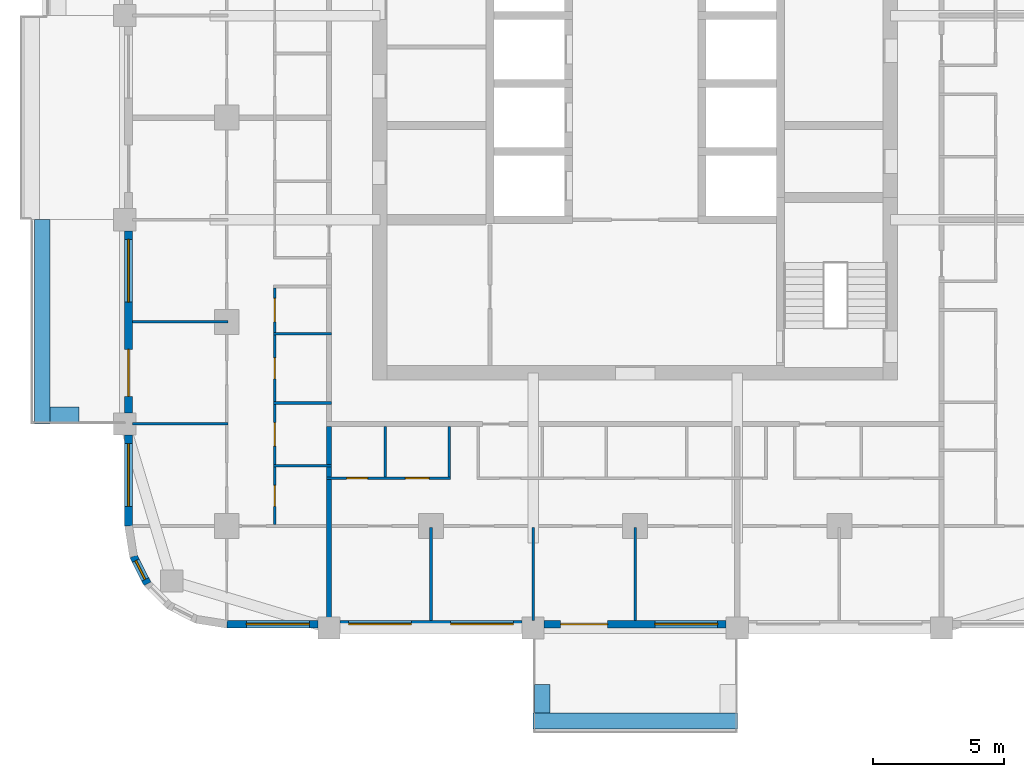
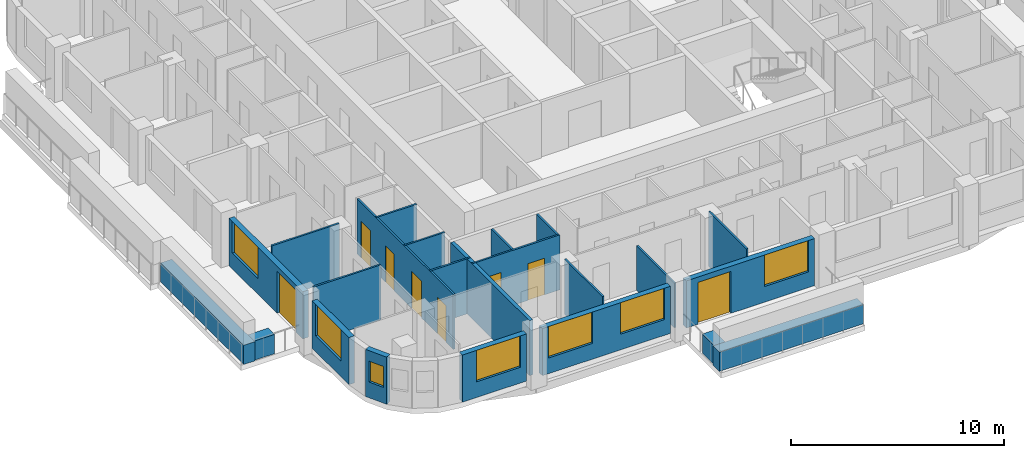
# One storey, part 2 of 14: 23 walls, 8 doors, 7 windows, 15 openings.
"""IFC4 building model written with IfcOpenShell, lengths in metres."""

from ifc_helpers import new_model, si_unit, direction, frame, frame_2d, origin, place, context, subcontext, project, spatial, rectangle, extrude, material, layer, layer_set, type_object, element, fill, save


model = new_model("IFC4")

# Units and contexts
model_context = context("Model", 3, precision=1e-05, world=origin(), true_north=direction((0.0, 1.0)))
body_context = subcontext(model_context, "Body", "Model", "MODEL_VIEW")
ifc_project = project(units=[si_unit("LENGTHUNIT", "METRE"), si_unit("AREAUNIT", "SQUARE_METRE"), si_unit("VOLUMEUNIT", "CUBIC_METRE"), si_unit("PLANEANGLEUNIT", "RADIAN"), si_unit("MASSUNIT", "GRAM", prefix="KILO")], contexts=[model_context])

# Site, building, storey
site_placement = place(None, origin())
site = spatial("IfcSite", under=ifc_project, at=site_placement, CompositionType="ELEMENT")
building_placement = place(site_placement, origin())
building = spatial("IfcBuilding", under=site, at=building_placement, Name="Ludao Terraces", CompositionType="ELEMENT")
storey_placement = place(building_placement, frame((0.0, 0.0, 99.89990234375)))
storey = spatial("IfcBuildingStorey", under=building, at=storey_placement, Name="L27", CompositionType="ELEMENT", Elevation=99.89990234375)

# Walls
ifc_material_1 = material(Name="Concrete C40", Category="concrete")
ifc_layer_1 = layer(ifc_material_1, 0.60009765625)
ifc_layer_set_1 = layer_set([ifc_layer_1], Name="ENV Planter trough 600")
wall_type_1 = type_object("IfcWallType", Name="ENV Planter trough 600", PredefinedType="USERDEFINED", material=ifc_layer_set_1)
wall_1_placement = place(storey_placement, frame((81.10009765625, 41.949951171875, 0.0), z_axis=(0.0, 0.0, 1.0), x_axis=(1.0, 0.0, 0.0)))
element("IfcWall", 1, at=wall_1_placement, inside=storey, type_object=wall_type_1, Name="PL-L27-S1", ObjectType="PLANTER", PredefinedType="USERDEFINED", context=body_context, shape_type="SweptSolid", body=[
    extrude(rectangle(XDim=7.7998046875, YDim=0.60009765625, at=frame_2d((3.89990234375, 0.0))), origin(), (0.0, 0.0, 1.0), 1.10009765625),
])
wall_2_placement = place(storey_placement, frame((81.449951171875, 42.25, 0.0), z_axis=(0.0, 0.0, 1.0), x_axis=(0.0, 1.0, 0.0)))
element("IfcWall", 2, at=wall_2_placement, inside=storey, type_object=wall_type_1, Name="PL-L27-S1-SA", ObjectType="PLANTER", PredefinedType="USERDEFINED", context=body_context, shape_type="SweptSolid", body=[
    extrude(rectangle(XDim=1.10009765625, YDim=0.60009765625, at=frame_2d((0.550048828125, 0.0))), origin(), (0.0, 0.0, 1.0), 1.10009765625),
])
wall_3_placement = place(storey_placement, frame((62.35009765625, 53.300048828125, 0.0), z_axis=(0.0, 0.0, 1.0), x_axis=(0.0, 1.0, 0.0)))
element("IfcWall", 3, at=wall_3_placement, inside=storey, type_object=wall_type_1, Name="PL-L27-W1", ObjectType="PLANTER", PredefinedType="USERDEFINED", context=body_context, shape_type="SweptSolid", body=[
    extrude(rectangle(XDim=7.800048828125, YDim=0.60009765625, at=frame_2d((3.89990234375, 0.0))), origin(), (0.0, 0.0, 1.0), 1.10009765625),
])
wall_4_placement = place(storey_placement, frame((62.64990234375, 53.64990234375, 0.0), z_axis=(0.0, 0.0, 1.0), x_axis=(1.0, 0.0, 0.0)))
element("IfcWall", 4, at=wall_4_placement, inside=storey, type_object=wall_type_1, Name="PL-L27-W1-SA", ObjectType="PLANTER", PredefinedType="USERDEFINED", context=body_context, shape_type="SweptSolid", body=[
    extrude(rectangle(XDim=1.10009765625, YDim=0.60009765625, at=frame_2d((0.550048828125, 0.0))), origin(), (0.0, 0.0, 1.0), 1.10009765625),
])

# Wall, opening, window
ifc_material_2 = material(Name="Granite cladding", Category="masonry")
ifc_layer_2 = layer(ifc_material_2, 0.0400390625, Category="stone")
ifc_material_3 = material(Name="Mineral wool")
ifc_layer_3 = layer(ifc_material_3, 0.06005859375)
ifc_layer_4 = layer(ifc_material_1, 0.199951171875, Category="concrete")
ifc_layer_set_2 = layer_set([ifc_layer_2, ifc_layer_3, ifc_layer_4], Name="ENV Stone-clad wall 300")
wall_type_2 = type_object("IfcWallType", Name="ENV Stone-clad wall 300", PredefinedType="SOLIDWALL", material=ifc_layer_set_2)
wall_5_placement = place(storey_placement, frame((69.39990234375, 45.64990234375, 0.0), z_axis=(0.0, 0.0, 1.0), x_axis=(1.0, 0.0, 0.0)))
wall_5 = element("IfcWall", 5, at=wall_5_placement, inside=storey, type_object=wall_type_2, Name="EW-L27-S1", PredefinedType="SOLIDWALL", context=body_context, shape_type="SweptSolid", body=[
    extrude(rectangle(XDim=3.47509765625, YDim=0.300048828125, at=frame_2d((1.737548828125, 0.0))), origin(), (0.0, 0.0, 1.0), 2.7001953125),
])
opening_1_placement = place(wall_5_placement, frame((0.75, 0.0, 0.89990234375)))
opening_1 = element("IfcOpeningElement", 6, at=opening_1_placement, cuts=wall_5, Name="Opening W1", PredefinedType="OPENING", context=body_context, shape_type="SweptSolid", body=[
    extrude(rectangle(XDim=2.39990234375, YDim=1.800048828125, at=frame_2d((1.199951171875, 0.89990234375))), frame((0.0, 0.16015625, 0.0), z_axis=(0.0, -1.0, 0.0), x_axis=(1.0, 0.0, 0.0)), (0.0, 0.0, 1.0), 0.320068359375),
])
ifc_material_4 = material(Name="Clear glass in aluminium frame", Category="aluminium")
ifc_layer_5 = layer(ifc_material_4, 0.06005859375)
ifc_layer_set_3 = layer_set([ifc_layer_5], Name="ENV Window W1 2400x1800")
window_type_1 = type_object("IfcWindowType", Name="ENV Window W1 2400x1800", PartitioningType="DOUBLE_PANEL_VERTICAL", PredefinedType="WINDOW", material=ifc_layer_set_3)
window_1_placement = place(opening_1_placement, origin())
window_1 = element("IfcWindow", 7, at=window_1_placement, inside=storey, type_object=window_type_1, Name="W-L27-S1-1", OverallHeight=1.800048828125, OverallWidth=2.39990234375, PartitioningType="DOUBLE_PANEL_VERTICAL", PredefinedType="WINDOW", context=body_context, shape_type="SweptSolid", body=[
    extrude(rectangle(XDim=2.39990234375, YDim=1.800048828125, at=frame_2d((1.199951171875, 0.89990234375))), frame((0.0, 0.030029296875, 0.0), z_axis=(0.0, -1.0, 0.0), x_axis=(1.0, 0.0, 0.0)), (0.0, 0.0, 1.0), 0.06005859375),
])
fill(opening_1, window_1)

# Wall, openings, windows
wall_6_placement = place(storey_placement, frame((73.72509765625, 45.64990234375, 0.0), z_axis=(0.0, 0.0, 1.0), x_axis=(1.0, 0.0, 0.0)))
wall_6 = element("IfcWall", 8, at=wall_6_placement, inside=storey, type_object=wall_type_2, Name="EW-L27-S2", PredefinedType="SOLIDWALL", context=body_context, shape_type="SweptSolid", body=[
    extrude(rectangle(XDim=6.949951171875, YDim=0.300048828125, at=frame_2d((3.47509765625, 0.0))), origin(), (0.0, 0.0, 1.0), 2.7001953125),
])
opening_2_placement = place(wall_6_placement, frame((0.324951171875, 0.0, 0.89990234375)))
opening_2 = element("IfcOpeningElement", 9, at=opening_2_placement, cuts=wall_6, Name="Opening W1", PredefinedType="OPENING", context=body_context, shape_type="SweptSolid", body=[
    extrude(rectangle(XDim=2.39990234375, YDim=1.800048828125, at=frame_2d((1.199951171875, 0.89990234375))), frame((0.0, 0.16015625, 0.0), z_axis=(0.0, -1.0, 0.0), x_axis=(1.0, 0.0, 0.0)), (0.0, 0.0, 1.0), 0.320068359375),
])
opening_3_placement = place(wall_6_placement, frame((4.22509765625, 0.0, 0.89990234375)))
opening_3 = element("IfcOpeningElement", 10, at=opening_3_placement, cuts=wall_6, Name="Opening W1", PredefinedType="OPENING", context=body_context, shape_type="SweptSolid", body=[
    extrude(rectangle(XDim=2.39990234375, YDim=1.800048828125, at=frame_2d((1.199951171875, 0.89990234375))), frame((0.0, 0.16015625, 0.0), z_axis=(0.0, -1.0, 0.0), x_axis=(1.0, 0.0, 0.0)), (0.0, 0.0, 1.0), 0.320068359375),
])
window_2_placement = place(opening_2_placement, origin())
window_2 = element("IfcWindow", 11, at=window_2_placement, inside=storey, type_object=window_type_1, Name="W-L27-S2-1", OverallHeight=1.800048828125, OverallWidth=2.39990234375, PartitioningType="DOUBLE_PANEL_VERTICAL", PredefinedType="WINDOW", context=body_context, shape_type="SweptSolid", body=[
    extrude(rectangle(XDim=2.39990234375, YDim=1.800048828125, at=frame_2d((1.199951171875, 0.89990234375))), frame((0.0, 0.030029296875, 0.0), z_axis=(0.0, -1.0, 0.0), x_axis=(1.0, 0.0, 0.0)), (0.0, 0.0, 1.0), 0.06005859375),
])
fill(opening_2, window_2)
window_3_placement = place(opening_3_placement, origin())
window_3 = element("IfcWindow", 12, at=window_3_placement, inside=storey, type_object=window_type_1, Name="W-L27-S2-2", OverallHeight=1.800048828125, OverallWidth=2.39990234375, PartitioningType="DOUBLE_PANEL_VERTICAL", PredefinedType="WINDOW", context=body_context, shape_type="SweptSolid", body=[
    extrude(rectangle(XDim=2.39990234375, YDim=1.800048828125, at=frame_2d((1.199951171875, 0.89990234375))), frame((0.0, 0.030029296875, 0.0), z_axis=(0.0, -1.0, 0.0), x_axis=(1.0, 0.0, 0.0)), (0.0, 0.0, 1.0), 0.06005859375),
])
fill(opening_3, window_3)

# Wall, openings, door, window
wall_7_placement = place(storey_placement, frame((81.52490234375, 45.64990234375, 0.0), z_axis=(0.0, 0.0, 1.0), x_axis=(1.0, 0.0, 0.0)))
wall_7 = element("IfcWall", 13, at=wall_7_placement, inside=storey, type_object=wall_type_2, Name="EW-L27-S3", PredefinedType="SOLIDWALL", context=body_context, shape_type="SweptSolid", body=[
    extrude(rectangle(XDim=6.9501953125, YDim=0.300048828125, at=frame_2d((3.47509765625, 0.0))), origin(), (0.0, 0.0, 1.0), 2.7001953125),
])
opening_4_placement = place(wall_7_placement, frame((0.625, 0.0, 0.0)))
opening_4 = element("IfcOpeningElement", 14, at=opening_4_placement, cuts=wall_7, Name="Opening BD", PredefinedType="OPENING", context=body_context, shape_type="SweptSolid", body=[
    extrude(rectangle(XDim=1.800048828125, YDim=2.39990234375, at=frame_2d((0.89990234375, 1.199951171875))), frame((0.0, 0.16015625, 0.0), z_axis=(0.0, -1.0, 0.0), x_axis=(1.0, 0.0, 0.0)), (0.0, 0.0, 1.0), 0.320068359375),
])
opening_5_placement = place(wall_7_placement, frame((4.22509765625, 0.0, 0.89990234375)))
opening_5 = element("IfcOpeningElement", 15, at=opening_5_placement, cuts=wall_7, Name="Opening W1", PredefinedType="OPENING", context=body_context, shape_type="SweptSolid", body=[
    extrude(rectangle(XDim=2.39990234375, YDim=1.800048828125, at=frame_2d((1.199951171875, 0.89990234375))), frame((0.0, 0.16015625, 0.0), z_axis=(0.0, -1.0, 0.0), x_axis=(1.0, 0.0, 0.0)), (0.0, 0.0, 1.0), 0.320068359375),
])
ifc_material_5 = material(Name="Aluminium glazed door", Category="aluminium")
ifc_layer_6 = layer(ifc_material_5, 0.06005859375)
ifc_layer_set_4 = layer_set([ifc_layer_6], Name="ENV Balcony door BD 1800x2400")
door_type_1 = type_object("IfcDoorType", Name="ENV Balcony door BD 1800x2400", OperationType="DOUBLE_DOOR_SINGLE_SWING", PredefinedType="DOOR", material=ifc_layer_set_4)
door_1_placement = place(opening_4_placement, origin())
door_1 = element("IfcDoor", 16, at=door_1_placement, inside=storey, type_object=door_type_1, Name="BD-L27-S3-1", OperationType="DOUBLE_DOOR_SINGLE_SWING", OverallHeight=2.39990234375, OverallWidth=1.800048828125, PredefinedType="DOOR", context=body_context, shape_type="SweptSolid", body=[
    extrude(rectangle(XDim=1.800048828125, YDim=2.39990234375, at=frame_2d((0.89990234375, 1.199951171875))), frame((0.0, 0.02490234375, 0.0), z_axis=(0.0, -1.0, 0.0), x_axis=(1.0, 0.0, 0.0)), (0.0, 0.0, 1.0), 0.050048828125),
])
fill(opening_4, door_1)
window_4_placement = place(opening_5_placement, origin())
window_4 = element("IfcWindow", 17, at=window_4_placement, inside=storey, type_object=window_type_1, Name="W-L27-S3-2", OverallHeight=1.800048828125, OverallWidth=2.39990234375, PartitioningType="DOUBLE_PANEL_VERTICAL", PredefinedType="WINDOW", context=body_context, shape_type="SweptSolid", body=[
    extrude(rectangle(XDim=2.39990234375, YDim=1.800048828125, at=frame_2d((1.199951171875, 0.89990234375))), frame((0.0, 0.030029296875, 0.0), z_axis=(0.0, -1.0, 0.0), x_axis=(1.0, 0.0, 0.0)), (0.0, 0.0, 1.0), 0.06005859375),
])
fill(opening_5, window_4)

# Wall, opening, window
wall_8_placement = place(storey_placement, frame((65.64990234375, 49.39990234375, 0.0), z_axis=(0.0, 0.0, 1.0), x_axis=(0.0, 1.0, 0.0)))
wall_8 = element("IfcWall", 18, at=wall_8_placement, inside=storey, type_object=wall_type_2, Name="EW-L27-W1", PredefinedType="SOLIDWALL", context=body_context, shape_type="SweptSolid", body=[
    extrude(rectangle(XDim=3.47509765625, YDim=0.300048828125, at=frame_2d((1.737548828125, 0.0))), origin(), (0.0, 0.0, 1.0), 2.7001953125),
])
opening_6_placement = place(wall_8_placement, frame((0.75, 0.0, 0.89990234375)))
opening_6 = element("IfcOpeningElement", 19, at=opening_6_placement, cuts=wall_8, Name="Opening W1", PredefinedType="OPENING", context=body_context, shape_type="SweptSolid", body=[
    extrude(rectangle(XDim=2.39990234375, YDim=1.800048828125, at=frame_2d((1.199951171875, 0.89990234375))), frame((0.0, 0.16015625, 0.0), z_axis=(0.0, -1.0, 0.0), x_axis=(1.0, 0.0, 0.0)), (0.0, 0.0, 1.0), 0.320068359375),
])
window_5_placement = place(opening_6_placement, origin())
window_5 = element("IfcWindow", 20, at=window_5_placement, inside=storey, type_object=window_type_1, Name="W-L27-W1-1", OverallHeight=1.800048828125, OverallWidth=2.39990234375, PartitioningType="DOUBLE_PANEL_VERTICAL", PredefinedType="WINDOW", context=body_context, shape_type="SweptSolid", body=[
    extrude(rectangle(XDim=2.39990234375, YDim=1.800048828125, at=frame_2d((1.199951171875, 0.89990234375))), frame((0.0, 0.030029296875, 0.0), z_axis=(0.0, -1.0, 0.0), x_axis=(1.0, 0.0, 0.0)), (0.0, 0.0, 1.0), 0.06005859375),
])
fill(opening_6, window_5)

# Wall, openings, door, window
wall_9_placement = place(storey_placement, frame((65.64990234375, 53.72509765625, 0.0), z_axis=(0.0, 0.0, 1.0), x_axis=(0.0, 1.0, 0.0)))
wall_9 = element("IfcWall", 21, at=wall_9_placement, inside=storey, type_object=wall_type_2, Name="EW-L27-W2", PredefinedType="SOLIDWALL", context=body_context, shape_type="SweptSolid", body=[
    extrude(rectangle(XDim=6.949951171875, YDim=0.300048828125, at=frame_2d((3.47509765625, 0.0))), origin(), (0.0, 0.0, 1.0), 2.7001953125),
])
opening_7_placement = place(wall_9_placement, frame((0.625, 0.0, 0.0)))
opening_7 = element("IfcOpeningElement", 22, at=opening_7_placement, cuts=wall_9, Name="Opening BD", PredefinedType="OPENING", context=body_context, shape_type="SweptSolid", body=[
    extrude(rectangle(XDim=1.800048828125, YDim=2.39990234375, at=frame_2d((0.89990234375, 1.199951171875))), frame((0.0, 0.16015625, 0.0), z_axis=(0.0, -1.0, 0.0), x_axis=(1.0, 0.0, 0.0)), (0.0, 0.0, 1.0), 0.320068359375),
])
opening_8_placement = place(wall_9_placement, frame((4.22509765625, 0.0, 0.89990234375)))
opening_8 = element("IfcOpeningElement", 23, at=opening_8_placement, cuts=wall_9, Name="Opening W1", PredefinedType="OPENING", context=body_context, shape_type="SweptSolid", body=[
    extrude(rectangle(XDim=2.39990234375, YDim=1.800048828125, at=frame_2d((1.199951171875, 0.89990234375))), frame((0.0, 0.16015625, 0.0), z_axis=(0.0, -1.0, 0.0), x_axis=(1.0, 0.0, 0.0)), (0.0, 0.0, 1.0), 0.320068359375),
])
door_2_placement = place(opening_7_placement, origin())
door_2 = element("IfcDoor", 24, at=door_2_placement, inside=storey, type_object=door_type_1, Name="BD-L27-W2-1", OperationType="DOUBLE_DOOR_SINGLE_SWING", OverallHeight=2.39990234375, OverallWidth=1.800048828125, PredefinedType="DOOR", context=body_context, shape_type="SweptSolid", body=[
    extrude(rectangle(XDim=1.800048828125, YDim=2.39990234375, at=frame_2d((0.89990234375, 1.199951171875))), frame((0.0, 0.02490234375, 0.0), z_axis=(0.0, -1.0, 0.0), x_axis=(1.0, 0.0, 0.0)), (0.0, 0.0, 1.0), 0.050048828125),
])
fill(opening_7, door_2)
window_6_placement = place(opening_8_placement, origin())
window_6 = element("IfcWindow", 25, at=window_6_placement, inside=storey, type_object=window_type_1, Name="W-L27-W2-2", OverallHeight=1.800048828125, OverallWidth=2.39990234375, PartitioningType="DOUBLE_PANEL_VERTICAL", PredefinedType="WINDOW", context=body_context, shape_type="SweptSolid", body=[
    extrude(rectangle(XDim=2.39990234375, YDim=1.800048828125, at=frame_2d((1.199951171875, 0.89990234375))), frame((0.0, 0.030029296875, 0.0), z_axis=(0.0, -1.0, 0.0), x_axis=(1.0, 0.0, 0.0)), (0.0, 0.0, 1.0), 0.06005859375),
])
fill(opening_8, window_6)

# Wall, opening, window
wall_10_placement = place(storey_placement, frame((65.83349609375, 48.2412109375, 0.0), z_axis=(0.0, 0.0, 1.0), x_axis=(0.454025524128, -0.890988677504, 0.0)))
wall_10 = element("IfcWall", 26, at=wall_10_placement, inside=storey, type_object=wall_type_2, Name="EW-L27-SW2", PredefinedType="SOLIDWALL", context=body_context, shape_type="SweptSolid", body=[
    extrude(rectangle(XDim=1.17333984375, YDim=0.300048828125, at=frame_2d((0.586669921875, 0.0))), origin(), (0.0, 0.0, 1.0), 2.7001953125),
])
opening_9_placement = place(wall_10_placement, frame((0.1865234375, 0.0, 0.89990234375)))
opening_9 = element("IfcOpeningElement", 27, at=opening_9_placement, cuts=wall_10, Name="Opening W3", PredefinedType="OPENING", context=body_context, shape_type="SweptSolid", body=[
    extrude(rectangle(XDim=0.800048828125, YDim=1.199951171875, at=frame_2d((0.39990234375, 0.60009765625))), frame((0.0, 0.16015625, 0.0), z_axis=(0.0, -1.0, 0.0), x_axis=(1.0, 0.0, 0.0)), (0.0, 0.0, 1.0), 0.320068359375),
])
ifc_layer_7 = layer(ifc_material_4, 0.06005859375)
ifc_layer_set_5 = layer_set([ifc_layer_7], Name="ENV Window W3 800x1200")
window_type_2 = type_object("IfcWindowType", Name="ENV Window W3 800x1200", PartitioningType="SINGLE_PANEL", PredefinedType="WINDOW", material=ifc_layer_set_5)
window_7_placement = place(opening_9_placement, origin())
window_7 = element("IfcWindow", 28, at=window_7_placement, inside=storey, type_object=window_type_2, Name="W-L27-SW2", OverallHeight=1.199951171875, OverallWidth=0.800048828125, PartitioningType="SINGLE_PANEL", PredefinedType="WINDOW", context=body_context, shape_type="SweptSolid", body=[
    extrude(rectangle(XDim=0.800048828125, YDim=1.199951171875, at=frame_2d((0.39990234375, 0.60009765625))), frame((0.0, 0.030029296875, 0.0), z_axis=(0.0, -1.0, 0.0), x_axis=(1.0, 0.0, 0.0)), (0.0, 0.0, 1.0), 0.06005859375),
])
fill(opening_9, window_7)

# Wall, openings, doors
ifc_material_6 = material(Name="Gypsum plasterboard", Category="gypsum")
ifc_layer_8 = layer(ifc_material_6, 0.012451171875, Category="gypsum")
ifc_layer_9 = layer(ifc_material_3, 0.06005859375, Name="insulation")
ifc_material_7 = material(Name="Steel Q235", Category="steel")
ifc_layer_10 = layer(ifc_material_7, 0.014892578125, Name="stud")
ifc_layer_11 = layer(ifc_material_6, 0.012451171875, Category="gypsum")
ifc_layer_set_6 = layer_set([ifc_layer_8, ifc_layer_9, ifc_layer_10, ifc_layer_11], Name="INT Partition 100")
wall_type_3 = type_object("IfcWallType", Name="INT Partition 100", PredefinedType="PARTITIONING", material=ifc_layer_set_6)
wall_11_placement = place(storey_placement, frame((73.2001953125, 51.22998046875, 0.0), z_axis=(0.0, 0.0, 1.0), x_axis=(1.0, 0.0, 0.0)))
wall_11 = element("IfcWall", 29, at=wall_11_placement, inside=storey, type_object=wall_type_3, Name="PW-L27-PW001", PredefinedType="PARTITIONING", context=body_context, shape_type="SweptSolid", body=[
    extrude(rectangle(XDim=4.75, YDim=0.10009765625, at=frame_2d((2.375, 0.0))), origin(), (0.0, 0.0, 1.0), 3.150146484375),
])
opening_10_placement = place(wall_11_placement, frame((0.77490234375, 0.0, 0.0)))
opening_10 = element("IfcOpeningElement", 30, at=opening_10_placement, cuts=wall_11, Name="Opening R08-013", PredefinedType="OPENING", context=body_context, shape_type="SweptSolid", body=[
    extrude(rectangle(XDim=0.800048828125, YDim=2.10009765625, at=frame_2d((0.39990234375, 1.050048828125))), frame((0.0, 0.06005859375, 0.0), z_axis=(0.0, -1.0, 0.0), x_axis=(1.0, 0.0, 0.0)), (0.0, 0.0, 1.0), 0.1201171875),
])
opening_11_placement = place(wall_11_placement, frame((3.02490234375, 0.0, 0.0)))
opening_11 = element("IfcOpeningElement", 31, at=opening_11_placement, cuts=wall_11, Name="Opening R08-014", PredefinedType="OPENING", context=body_context, shape_type="SweptSolid", body=[
    extrude(rectangle(XDim=0.89990234375, YDim=2.10009765625, at=frame_2d((0.449951171875, 1.050048828125))), frame((0.0, 0.06005859375, 0.0), z_axis=(0.0, -1.0, 0.0), x_axis=(1.0, 0.0, 0.0)), (0.0, 0.0, 1.0), 0.1201171875),
])
ifc_material_8 = material(Name="Timber door leaf", Category="wood")
door_type_2 = type_object("IfcDoorType", Name="INT Bathroom door 900", OperationType="SINGLE_SWING_LEFT", PredefinedType="DOOR", material=ifc_material_8)
door_3_placement = place(opening_11_placement, origin())
door_3 = element("IfcDoor", 32, at=door_3_placement, inside=storey, type_object=door_type_2, Name="DOOR 014", OperationType="SINGLE_SWING_RIGHT", OverallHeight=2.10009765625, OverallWidth=0.89990234375, PredefinedType="DOOR", context=body_context, shape_type="SweptSolid", body=[
    extrude(rectangle(XDim=0.89990234375, YDim=2.10009765625, at=frame_2d((0.449951171875, 1.050048828125))), frame((0.0, 0.02490234375, 0.0), z_axis=(0.0, -1.0, 0.0), x_axis=(1.0, 0.0, 0.0)), (0.0, 0.0, 1.0), 0.050048828125),
])
fill(opening_11, door_3)
door_type_3 = type_object("IfcDoorType", Name="INT Store door 800", OperationType="SINGLE_SWING_LEFT", PredefinedType="DOOR", material=ifc_material_8)
door_4_placement = place(opening_10_placement, origin())
door_4 = element("IfcDoor", 33, at=door_4_placement, inside=storey, type_object=door_type_3, Name="DOOR 013", OperationType="SINGLE_SWING_LEFT", OverallHeight=2.10009765625, OverallWidth=0.800048828125, PredefinedType="DOOR", context=body_context, shape_type="SweptSolid", body=[
    extrude(rectangle(XDim=0.800048828125, YDim=2.10009765625, at=frame_2d((0.39990234375, 1.050048828125))), frame((0.0, 0.02490234375, 0.0), z_axis=(0.0, -1.0, 0.0), x_axis=(1.0, 0.0, 0.0)), (0.0, 0.0, 1.0), 0.050048828125),
])
fill(opening_10, door_4)

# Walls
wall_12_placement = place(storey_placement, frame((71.18017578125, 51.699951171875, 0.0), z_axis=(0.0, 0.0, 1.0), x_axis=(1.0, 0.0, 0.0)))
element("IfcWall", 34, at=wall_12_placement, inside=storey, type_object=wall_type_3, Name="PW-L27-PW004", PredefinedType="PARTITIONING", context=body_context, shape_type="SweptSolid", body=[
    extrude(rectangle(XDim=2.219970703125, YDim=0.10009765625, at=frame_2d((1.10986328125, 0.0))), origin(), (0.0, 0.0, 1.0), 3.150146484375),
])
wall_13_placement = place(storey_placement, frame((65.800048828125, 53.300048828125, 0.0), z_axis=(0.0, 0.0, 1.0), x_axis=(1.0, 0.0, 0.0)))
element("IfcWall", 35, at=wall_13_placement, inside=storey, type_object=wall_type_3, Name="PW-L27-PW006", PredefinedType="PARTITIONING", context=body_context, shape_type="SweptSolid", body=[
    extrude(rectangle(XDim=3.650146484375, YDim=0.10009765625, at=frame_2d((1.8251953125, 0.0))), origin(), (0.0, 0.0, 1.0), 3.150146484375),
])
for number, where, z_axis, x_axis, name in (
    (36, (71.18017578125, 54.10009765625, 0.0), (0.0, 0.0, 1.0), (1.0, 0.0, 0.0), "PW-L27-PW009"),
    (37, (71.18017578125, 56.75, 0.0), (0.0, 0.0, 1.0), (1.0, 0.0, 0.0), "PW-L27-PW011"),
):
    element("IfcWall", number, at=place(storey_placement, frame(where, z_axis=z_axis, x_axis=x_axis)), inside=storey, type_object=wall_type_3, Name=name, PredefinedType="PARTITIONING", context=body_context, shape_type="SweptSolid", body=[
        extrude(rectangle(XDim=2.219970703125, YDim=0.10009765625, at=frame_2d((1.10986328125, 0.0))), origin(), (0.0, 0.0, 1.0), 3.150146484375),
    ])
wall_14_placement = place(storey_placement, frame((65.800048828125, 57.199951171875, 0.0), z_axis=(0.0, 0.0, 1.0), x_axis=(1.0, 0.0, 0.0)))
element("IfcWall", 38, at=wall_14_placement, inside=storey, type_object=wall_type_3, Name="PW-L27-PW012", PredefinedType="PARTITIONING", context=body_context, shape_type="SweptSolid", body=[
    extrude(rectangle(XDim=3.650146484375, YDim=0.10009765625, at=frame_2d((1.8251953125, 0.0))), origin(), (0.0, 0.0, 1.0), 3.150146484375),
])

# Wall, openings, doors
wall_15_placement = place(storey_placement, frame((71.22998046875, 49.4501953125, 0.0), z_axis=(0.0, 0.0, 1.0), x_axis=(0.0, 1.0, 0.0)))
wall_15 = element("IfcWall", 39, at=wall_15_placement, inside=storey, type_object=wall_type_3, Name="PW-L27-PW051", PredefinedType="PARTITIONING", context=body_context, shape_type="SweptSolid", body=[
    extrude(rectangle(XDim=9.0498046875, YDim=0.10009765625, at=frame_2d((4.52490234375, 0.0))), origin(), (0.0, 0.0, 1.0), 3.150146484375),
])
opening_12_placement = place(wall_15_placement, frame((0.699951171875, 0.0, 0.0)))
opening_12 = element("IfcOpeningElement", 40, at=opening_12_placement, cuts=wall_15, Name="Opening R08-011", PredefinedType="OPENING", context=body_context, shape_type="SweptSolid", body=[
    extrude(rectangle(XDim=0.800048828125, YDim=2.10009765625, at=frame_2d((0.39990234375, 1.050048828125))), frame((0.0, 0.06005859375, 0.0), z_axis=(0.0, -1.0, 0.0), x_axis=(1.0, 0.0, 0.0)), (0.0, 0.0, 1.0), 0.1201171875),
])
opening_13_placement = place(wall_15_placement, frame((3.0, 0.0, 0.0)))
opening_13 = element("IfcOpeningElement", 41, at=opening_13_placement, cuts=wall_15, Name="Opening R08-024", PredefinedType="OPENING", context=body_context, shape_type="SweptSolid", body=[
    extrude(rectangle(XDim=0.89990234375, YDim=2.10009765625, at=frame_2d((0.449951171875, 1.050048828125))), frame((0.0, 0.06005859375, 0.0), z_axis=(0.0, -1.0, 0.0), x_axis=(1.0, 0.0, 0.0)), (0.0, 0.0, 1.0), 0.1201171875),
])
opening_14_placement = place(wall_15_placement, frame((5.574951171875, 0.0, 0.0)))
opening_14 = element("IfcOpeningElement", 42, at=opening_14_placement, cuts=wall_15, Name="Opening R08-031", PredefinedType="OPENING", context=body_context, shape_type="SweptSolid", body=[
    extrude(rectangle(XDim=0.800048828125, YDim=2.10009765625, at=frame_2d((0.39990234375, 1.050048828125))), frame((0.0, 0.06005859375, 0.0), z_axis=(0.0, -1.0, 0.0), x_axis=(1.0, 0.0, 0.0)), (0.0, 0.0, 1.0), 0.1201171875),
])
opening_15_placement = place(wall_15_placement, frame((7.75, 0.0, 0.0)))
opening_15 = element("IfcOpeningElement", 43, at=opening_15_placement, cuts=wall_15, Name="Opening R08-035", PredefinedType="OPENING", context=body_context, shape_type="SweptSolid", body=[
    extrude(rectangle(XDim=0.89990234375, YDim=2.10009765625, at=frame_2d((0.449951171875, 1.050048828125))), frame((0.0, 0.06005859375, 0.0), z_axis=(0.0, -1.0, 0.0), x_axis=(1.0, 0.0, 0.0)), (0.0, 0.0, 1.0), 0.1201171875),
])
door_5_placement = place(opening_13_placement, origin())
door_5 = element("IfcDoor", 44, at=door_5_placement, inside=storey, type_object=door_type_2, Name="DOOR 024", OperationType="SINGLE_SWING_RIGHT", OverallHeight=2.10009765625, OverallWidth=0.89990234375, PredefinedType="DOOR", context=body_context, shape_type="SweptSolid", body=[
    extrude(rectangle(XDim=0.89990234375, YDim=2.10009765625, at=frame_2d((0.449951171875, 1.050048828125))), frame((0.0, 0.02490234375, 0.0), z_axis=(0.0, -1.0, 0.0), x_axis=(1.0, 0.0, 0.0)), (0.0, 0.0, 1.0), 0.050048828125),
])
fill(opening_13, door_5)
door_6_placement = place(opening_15_placement, origin())
door_6 = element("IfcDoor", 45, at=door_6_placement, inside=storey, type_object=door_type_2, Name="DOOR 035", OperationType="SINGLE_SWING_RIGHT", OverallHeight=2.10009765625, OverallWidth=0.89990234375, PredefinedType="DOOR", context=body_context, shape_type="SweptSolid", body=[
    extrude(rectangle(XDim=0.89990234375, YDim=2.10009765625, at=frame_2d((0.449951171875, 1.050048828125))), frame((0.0, 0.02490234375, 0.0), z_axis=(0.0, -1.0, 0.0), x_axis=(1.0, 0.0, 0.0)), (0.0, 0.0, 1.0), 0.050048828125),
])
fill(opening_15, door_6)
door_7_placement = place(opening_12_placement, origin())
door_7 = element("IfcDoor", 46, at=door_7_placement, inside=storey, type_object=door_type_3, Name="DOOR 011", OperationType="SINGLE_SWING_RIGHT", OverallHeight=2.10009765625, OverallWidth=0.800048828125, PredefinedType="DOOR", context=body_context, shape_type="SweptSolid", body=[
    extrude(rectangle(XDim=0.800048828125, YDim=2.10009765625, at=frame_2d((0.39990234375, 1.050048828125))), frame((0.0, 0.02490234375, 0.0), z_axis=(0.0, -1.0, 0.0), x_axis=(1.0, 0.0, 0.0)), (0.0, 0.0, 1.0), 0.050048828125),
])
fill(opening_12, door_7)
door_8_placement = place(opening_14_placement, origin())
door_8 = element("IfcDoor", 47, at=door_8_placement, inside=storey, type_object=door_type_3, Name="DOOR 031", OperationType="SINGLE_SWING_RIGHT", OverallHeight=2.10009765625, OverallWidth=0.800048828125, PredefinedType="DOOR", context=body_context, shape_type="SweptSolid", body=[
    extrude(rectangle(XDim=0.800048828125, YDim=2.10009765625, at=frame_2d((0.39990234375, 1.050048828125))), frame((0.0, 0.02490234375, 0.0), z_axis=(0.0, -1.0, 0.0), x_axis=(1.0, 0.0, 0.0)), (0.0, 0.0, 1.0), 0.050048828125),
])
fill(opening_14, door_8)

# Walls
wall_16_placement = place(storey_placement, frame((75.449951171875, 51.280029296875, 0.0), z_axis=(0.0, 0.0, 1.0), x_axis=(0.0, 1.0, 0.0)))
element("IfcWall", 48, at=wall_16_placement, inside=storey, type_object=wall_type_3, Name="PW-L27-PW056", PredefinedType="PARTITIONING", context=body_context, shape_type="SweptSolid", body=[
    extrude(rectangle(XDim=1.920166015625, YDim=0.10009765625, at=frame_2d((0.9599609375, 0.0))), origin(), (0.0, 0.0, 1.0), 3.150146484375),
])
wall_17_placement = place(storey_placement, frame((77.199951171875, 45.800048828125, 0.0), z_axis=(0.0, 0.0, 1.0), x_axis=(0.0, 1.0, 0.0)))
element("IfcWall", 49, at=wall_17_placement, inside=storey, type_object=wall_type_3, Name="PW-L27-PW057", PredefinedType="PARTITIONING", context=body_context, shape_type="SweptSolid", body=[
    extrude(rectangle(XDim=3.550048828125, YDim=0.10009765625, at=frame_2d((1.77490234375, 0.0))), origin(), (0.0, 0.0, 1.0), 3.150146484375),
])
wall_18_placement = place(storey_placement, frame((77.89990234375, 51.280029296875, 0.0), z_axis=(0.0, 0.0, 1.0), x_axis=(0.0, 1.0, 0.0)))
element("IfcWall", 50, at=wall_18_placement, inside=storey, type_object=wall_type_3, Name="PW-L27-PW058", PredefinedType="PARTITIONING", context=body_context, shape_type="SweptSolid", body=[
    extrude(rectangle(XDim=1.920166015625, YDim=0.10009765625, at=frame_2d((0.9599609375, 0.0))), origin(), (0.0, 0.0, 1.0), 3.150146484375),
])
wall_19_placement = place(storey_placement, frame((81.10009765625, 45.800048828125, 0.0), z_axis=(0.0, 0.0, 1.0), x_axis=(0.0, 1.0, 0.0)))
element("IfcWall", 51, at=wall_19_placement, inside=storey, type_object=wall_type_3, Name="PW-L27-PW061", PredefinedType="PARTITIONING", context=body_context, shape_type="SweptSolid", body=[
    extrude(rectangle(XDim=3.550048828125, YDim=0.10009765625, at=frame_2d((1.77490234375, 0.0))), origin(), (0.0, 0.0, 1.0), 2.550048828125),
])
wall_20_placement = place(storey_placement, frame((85.0, 45.800048828125, 0.0), z_axis=(0.0, 0.0, 1.0), x_axis=(0.0, 1.0, 0.0)))
element("IfcWall", 52, at=wall_20_placement, inside=storey, type_object=wall_type_3, Name="PW-L27-PW064", PredefinedType="PARTITIONING", context=body_context, shape_type="SweptSolid", body=[
    extrude(rectangle(XDim=3.550048828125, YDim=0.10009765625, at=frame_2d((1.77490234375, 0.0))), origin(), (0.0, 0.0, 1.0), 3.150146484375),
])
ifc_material_9 = material(Name="Autoclaved aerated concrete block B06 A3.5", Category="concrete")
ifc_layer_12 = layer(ifc_material_9, 0.199951171875)
ifc_layer_set_7 = layer_set([ifc_layer_12], Name="INT Party wall 200")
wall_type_4 = type_object("IfcWallType", Name="INT Party wall 200", PredefinedType="PARTITIONING", material=ifc_layer_set_7)
wall_21_placement = place(storey_placement, frame((73.300048828125, 45.800048828125, 0.0), z_axis=(0.0, 0.0, 1.0), x_axis=(0.0, 1.0, 0.0)))
element("IfcWall", 53, at=wall_21_placement, inside=storey, type_object=wall_type_4, Name="PW-L27-PW054", PredefinedType="PARTITIONING", context=body_context, shape_type="SweptSolid", body=[
    extrude(rectangle(XDim=7.400146484375, YDim=0.199951171875, at=frame_2d((3.7001953125, 0.0))), origin(), (0.0, 0.0, 1.0), 3.150146484375),
])

save(model, "model.ifc")
